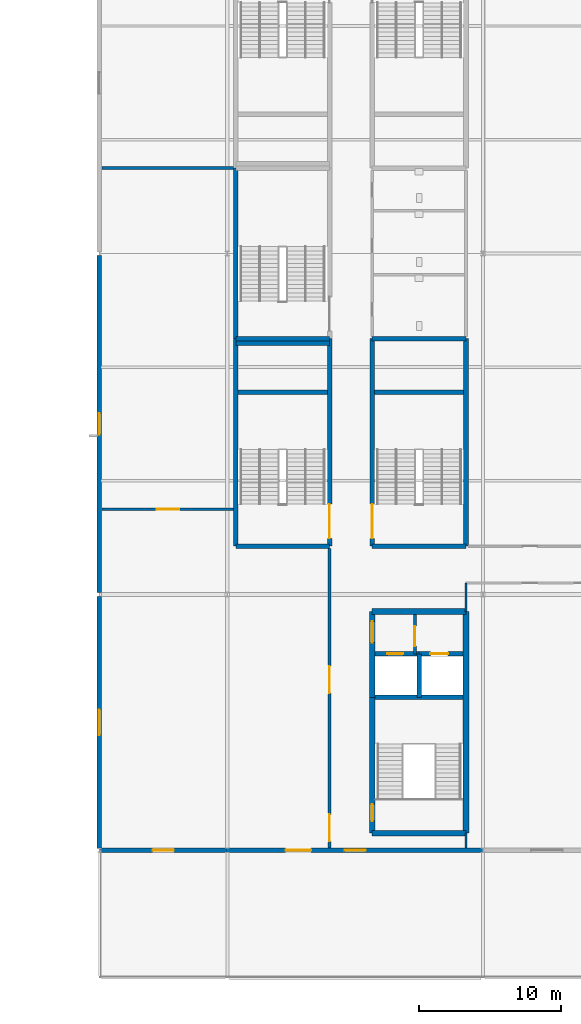
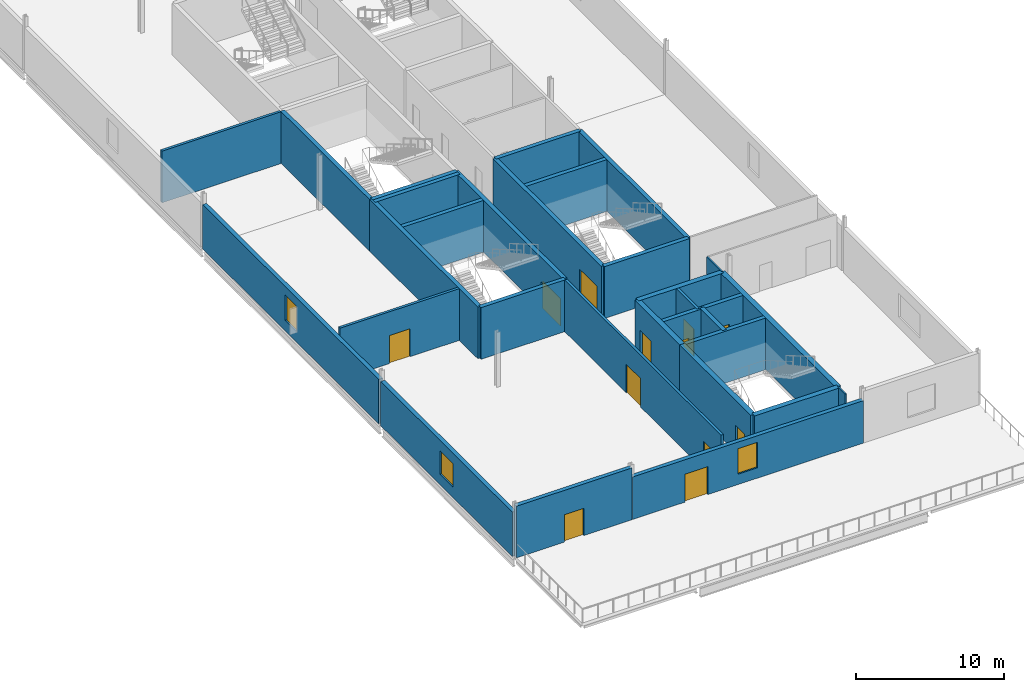
# One storey, part 14 of 28: 31 walls, 12 doors, 3 windows, 15 openings.
"""IFC4 building model written with IfcOpenShell, lengths in metres."""

from ifc_helpers import new_model, si_unit, direction, frame, frame_2d, origin, place, context, subcontext, project, spatial, rectangle, extrude, material, layer, layer_set, type_object, element, fill, save


model = new_model("IFC4")

# Units and contexts
model_context = context("Model", 3, precision=1e-05, world=origin(), true_north=direction((0.0, 1.0)))
body_context = subcontext(model_context, "Body", "Model", "MODEL_VIEW")
ifc_project = project(units=[si_unit("LENGTHUNIT", "METRE"), si_unit("AREAUNIT", "SQUARE_METRE"), si_unit("VOLUMEUNIT", "CUBIC_METRE"), si_unit("PLANEANGLEUNIT", "RADIAN"), si_unit("MASSUNIT", "GRAM", prefix="KILO")], contexts=[model_context])

# Site, building, storey
site_placement = place(None, origin())
site = spatial("IfcSite", under=ifc_project, at=site_placement, CompositionType="ELEMENT")
building_placement = place(site_placement, origin())
building = spatial("IfcBuilding", under=site, at=building_placement, Name="Kisiwana Market Hall", CompositionType="ELEMENT")
storey_placement = place(building_placement, frame((0.0, 0.0, 49.5)))
storey = spatial("IfcBuildingStorey", under=building, at=storey_placement, Name="L11", CompositionType="ELEMENT", Elevation=49.5)

# Wall, opening, door
ifc_material_1 = material(Name="Masonry blockwork", Category="masonry")
ifc_layer_1 = layer(ifc_material_1, 0.199951171875, Name="Plastered fire compartment block wall")
ifc_layer_set_1 = layer_set([ifc_layer_1], Name="WL-COMP-200")
wall_type_1 = type_object("IfcWallType", Name="WL-COMP-200", PredefinedType="PARTITIONING", material=ifc_layer_set_1)
wall_1_placement = place(storey_placement, frame((184.199951171875, 31.820068359375, 0.0), z_axis=(0.0, 0.0, 1.0), x_axis=(0.0, 1.0, 0.0)))
wall_1 = element("IfcWall", 1, at=wall_1_placement, inside=storey, type_object=wall_type_1, Name="Core E2 firefighting lobby wall W-2865", PredefinedType="PARTITIONING", context=body_context, shape_type="SweptSolid", body=[
    extrude(rectangle(XDim=2.780029296875, YDim=0.199951171875, at=frame_2d((1.39013671875, 0.0))), origin(), (0.0, 0.0, 1.0), 4.2548828125),
])
opening_1_placement = place(wall_1_placement, frame((0.550048828125, 0.0, 0.0)))
opening_1 = element("IfcOpeningElement", 2, at=opening_1_placement, cuts=wall_1, Name="Opening DR-L11-009", PredefinedType="OPENING", context=body_context, shape_type="SweptSolid", body=[
    extrude(rectangle(XDim=1.39990234375, YDim=2.25, at=frame_2d((0.699951171875, 1.125))), frame((0.0, 0.11181640625, 0.0), z_axis=(0.0, -1.0, 0.0), x_axis=(1.0, 0.0, 0.0)), (0.0, 0.0, 1.0), 0.223876953125),
])
ifc_material_2 = material(Name="Steel S275", Category="steel")
door_type_1 = type_object("IfcDoorType", Name="DR-FFLOB-FD120-1400", OperationType="DOUBLE_DOOR_SINGLE_SWING", PredefinedType="DOOR", material=ifc_material_2)
door_1_placement = place(opening_1_placement, origin())
door_1 = element("IfcDoor", 3, at=door_1_placement, inside=storey, type_object=door_type_1, Name="Firefighting Lift Lobby E2 Door (L11)", OperationType="DOUBLE_DOOR_SINGLE_SWING", OverallHeight=2.25, OverallWidth=1.39990234375, PredefinedType="DOOR", context=body_context, shape_type="SweptSolid", body=[
    extrude(rectangle(XDim=1.39990234375, YDim=2.25, at=frame_2d((0.699951171875, 1.125))), frame((0.0, 0.02490234375, 0.0), z_axis=(0.0, -1.0, 0.0), x_axis=(1.0, 0.0, 0.0)), (0.0, 0.0, 1.0), 0.050048828125),
])
fill(opening_1, door_1)

wall_2_placement = place(storey_placement, frame((162.169921875, 42.0, 0.0), z_axis=(0.0, 0.0, 1.0), x_axis=(1.0, 0.0, 0.0)))
wall_2 = element("IfcWall", 4, at=wall_2_placement, inside=storey, type_object=wall_type_1, Name="Interior partition W-2895", PredefinedType="PARTITIONING", context=body_context, shape_type="SweptSolid", body=[
    extrude(rectangle(XDim=9.27001953125, YDim=0.199951171875, at=frame_2d((4.635009765625, 0.0))), origin(), (0.0, 0.0, 1.0), 4.2548828125),
])
opening_2_placement = place(wall_2_placement, frame((3.85009765625, 0.0, 0.0)))
opening_2 = element("IfcOpeningElement", 5, at=opening_2_placement, cuts=wall_2, Name="Opening DR-L11-046", PredefinedType="OPENING", context=body_context, shape_type="SweptSolid", body=[
    extrude(rectangle(XDim=1.60009765625, YDim=2.300048828125, at=frame_2d((0.800048828125, 1.14990234375))), frame((0.0, 0.11181640625, 0.0), z_axis=(0.0, -1.0, 0.0), x_axis=(1.0, 0.0, 0.0)), (0.0, 0.0, 1.0), 0.223876953125),
])
ifc_material_3 = material(Name="Steel S275", Category="steel")
door_type_2 = type_object("IfcDoorType", Name="DR-PLANT-FD120-1600", OperationType="DOUBLE_DOOR_SINGLE_SWING", PredefinedType="DOOR", material=ifc_material_3)
door_2_placement = place(opening_2_placement, origin())
door_2 = element("IfcDoor", 6, at=door_2_placement, inside=storey, type_object=door_type_2, Name="L11 E Mid-Height AHU Plant Room Door", OperationType="DOUBLE_DOOR_SINGLE_SWING", OverallHeight=2.300048828125, OverallWidth=1.60009765625, PredefinedType="DOOR", context=body_context, shape_type="SweptSolid", body=[
    extrude(rectangle(XDim=1.60009765625, YDim=2.300048828125, at=frame_2d((0.800048828125, 1.14990234375))), frame((0.0, 0.02490234375, 0.0), z_axis=(0.0, -1.0, 0.0), x_axis=(1.0, 0.0, 0.0)), (0.0, 0.0, 1.0), 0.050048828125),
])
fill(opening_2, door_2)

# Wall
wall_3_placement = place(storey_placement, frame((162.169921875, 66.0, 0.0), z_axis=(0.0, 0.0, 1.0), x_axis=(1.0, 0.0, 0.0)))
element("IfcWall", 7, at=wall_3_placement, inside=storey, type_object=wall_type_1, Name="Interior partition W-2896", PredefinedType="PARTITIONING", context=body_context, shape_type="SweptSolid", body=[
    extrude(rectangle(XDim=9.27001953125, YDim=0.199951171875, at=frame_2d((4.635009765625, 0.0))), origin(), (0.0, 0.0, 1.0), 4.2548828125),
])

# Wall, openings, doors
wall_4_placement = place(storey_placement, frame((178.199951171875, 18.169921875, 0.0), z_axis=(0.0, 0.0, 1.0), x_axis=(0.0, 1.0, 0.0)))
wall_4 = element("IfcWall", 8, at=wall_4_placement, inside=storey, type_object=wall_type_1, Name="Interior partition W-2897", PredefinedType="PARTITIONING", context=body_context, shape_type="SweptSolid", body=[
    extrude(rectangle(XDim=21.070068359375, YDim=0.199951171875, at=frame_2d((10.53515625, 0.0))), origin(), (0.0, 0.0, 1.0), 4.2548828125),
])
opening_3_placement = place(wall_4_placement, frame((10.8798828125, 0.0, 0.0)))
opening_3 = element("IfcOpeningElement", 9, at=opening_3_placement, cuts=wall_4, Name="Opening DR-L11-047", PredefinedType="OPENING", context=body_context, shape_type="SweptSolid", body=[
    extrude(rectangle(XDim=1.89990234375, YDim=2.35009765625, at=frame_2d((0.949951171875, 1.175048828125))), frame((0.0, 0.11181640625, 0.0), z_axis=(0.0, -1.0, 0.0), x_axis=(1.0, 0.0, 0.0)), (0.0, 0.0, 1.0), 0.223876953125),
])
opening_4_placement = place(wall_4_placement, frame((0.449951171875, 0.0, 0.0)))
opening_4 = element("IfcOpeningElement", 10, at=opening_4_placement, cuts=wall_4, Name="Opening DR-L11-048", PredefinedType="OPENING", context=body_context, shape_type="SweptSolid", body=[
    extrude(rectangle(XDim=1.89990234375, YDim=2.35009765625, at=frame_2d((0.949951171875, 1.175048828125))), frame((0.0, 0.11181640625, 0.0), z_axis=(0.0, -1.0, 0.0), x_axis=(1.0, 0.0, 0.0)), (0.0, 0.0, 1.0), 0.223876953125),
])
ifc_material_4 = material(Name="Steel S275", Category="steel")
door_type_3 = type_object("IfcDoorType", Name="DR-HALL-1900", OperationType="DOUBLE_DOOR_SINGLE_SWING", PredefinedType="DOOR", material=ifc_material_4)
door_3_placement = place(opening_3_placement, origin())
door_3 = element("IfcDoor", 11, at=door_3_placement, inside=storey, type_object=door_type_3, Name="L11 E Sky-Garden Seminar Hall Door", OperationType="DOUBLE_DOOR_SINGLE_SWING", OverallHeight=2.35009765625, OverallWidth=1.89990234375, PredefinedType="DOOR", context=body_context, shape_type="SweptSolid", body=[
    extrude(rectangle(XDim=1.89990234375, YDim=2.35009765625, at=frame_2d((0.949951171875, 1.175048828125))), frame((0.0, 0.02490234375, 0.0), z_axis=(0.0, -1.0, 0.0), x_axis=(1.0, 0.0, 0.0)), (0.0, 0.0, 1.0), 0.050048828125),
])
fill(opening_3, door_3)
door_4_placement = place(opening_4_placement, origin())
door_4 = element("IfcDoor", 12, at=door_4_placement, inside=storey, type_object=door_type_3, Name="L11 E Sky-Garden Seminar Hall Exit Door", OperationType="DOUBLE_DOOR_SINGLE_SWING", OverallHeight=2.35009765625, OverallWidth=1.89990234375, PredefinedType="DOOR", context=body_context, shape_type="SweptSolid", body=[
    extrude(rectangle(XDim=1.89990234375, YDim=2.35009765625, at=frame_2d((0.949951171875, 1.175048828125))), frame((0.0, 0.02490234375, 0.0), z_axis=(0.0, -1.0, 0.0), x_axis=(1.0, 0.0, 0.0)), (0.0, 0.0, 1.0), 0.050048828125),
])
fill(opening_4, door_4)

# Walls
ifc_material_5 = material(Name="Concrete C40/50", Category="concrete")
ifc_layer_2 = layer(ifc_material_5, 0.320068359375, Name="Reinforced concrete shaft wall")
ifc_layer_set_2 = layer_set([ifc_layer_2], Name="WL-CORE-320")
wall_type_2 = type_object("IfcWallType", Name="WL-CORE-320", PredefinedType="SHEAR", material=ifc_layer_set_2)
wall_5_placement = place(storey_placement, frame((181.39990234375, 28.760009765625, 0.0), z_axis=(0.0, 0.0, 1.0), x_axis=(1.0, 0.0, 0.0)))
element("IfcWall", 13, at=wall_5_placement, inside=storey, type_object=wall_type_2, Name="Core E2 shaft back shear wall W-2774", PredefinedType="SHEAR", context=body_context, shape_type="SweptSolid", body=[
    extrude(rectangle(XDim=6.2001953125, YDim=0.320068359375, at=frame_2d((3.10009765625, 0.0))), origin(), (0.0, 0.0, 1.0), 4.2548828125),
])
wall_6_placement = place(storey_placement, frame((184.5, 28.760009765625, 0.0), z_axis=(0.0, 0.0, 1.0), x_axis=(0.0, 1.0, 0.0)))
element("IfcWall", 14, at=wall_6_placement, inside=storey, type_object=wall_type_2, Name="Core E2 inter-shaft shear wall W-2775", PredefinedType="SHEAR", context=body_context, shape_type="SweptSolid", body=[
    extrude(rectangle(XDim=3.06005859375, YDim=0.320068359375, at=frame_2d((1.530029296875, 0.0))), origin(), (0.0, 0.0, 1.0), 4.2548828125),
])

# Wall, opening, door
wall_7_placement = place(storey_placement, frame((181.39990234375, 31.820068359375, 0.0), z_axis=(0.0, 0.0, 1.0), x_axis=(1.0, 0.0, 0.0)))
wall_7 = element("IfcWall", 15, at=wall_7_placement, inside=storey, type_object=wall_type_2, Name="Core E2 west lift front wall W-2776", PredefinedType="SHEAR", context=body_context, shape_type="SweptSolid", body=[
    extrude(rectangle(XDim=3.10009765625, YDim=0.320068359375, at=frame_2d((1.550048828125, 0.0))), origin(), (0.0, 0.0, 1.0), 4.2548828125),
])
opening_5_placement = place(wall_7_placement, frame((0.85009765625, 0.0, 0.0)))
opening_5 = element("IfcOpeningElement", 16, at=opening_5_placement, cuts=wall_7, Name="Opening LD-L11-005", PredefinedType="OPENING", context=body_context, shape_type="SweptSolid", body=[
    extrude(rectangle(XDim=1.14990234375, YDim=2.199951171875, at=frame_2d((0.574951171875, 1.10009765625))), frame((0.0, 0.171875, 0.0), z_axis=(0.0, -1.0, 0.0), x_axis=(1.0, 0.0, 0.0)), (0.0, 0.0, 1.0), 0.343994140625),
])
ifc_material_6 = material(Name="Steel S275", Category="steel")
door_type_4 = type_object("IfcDoorType", Name="DR-LIFT-PAX-1150", OperationType="DOUBLE_DOOR_SLIDING", PredefinedType="DOOR", material=ifc_material_6)
door_5_placement = place(opening_5_placement, origin())
door_5 = element("IfcDoor", 17, at=door_5_placement, inside=storey, type_object=door_type_4, Name="Lift Landing Door LP-03 (L11)", OperationType="DOUBLE_DOOR_SLIDING", OverallHeight=2.199951171875, OverallWidth=1.14990234375, PredefinedType="DOOR", context=body_context, shape_type="SweptSolid", body=[
    extrude(rectangle(XDim=1.14990234375, YDim=2.199951171875, at=frame_2d((0.574951171875, 1.10009765625))), frame((0.0, 0.02490234375, 0.0), z_axis=(0.0, -1.0, 0.0), x_axis=(1.0, 0.0, 0.0)), (0.0, 0.0, 1.0), 0.050048828125),
])
fill(opening_5, door_5)

wall_8_placement = place(storey_placement, frame((184.5, 31.820068359375, 0.0), z_axis=(0.0, 0.0, 1.0), x_axis=(1.0, 0.0, 0.0)))
wall_8 = element("IfcWall", 18, at=wall_8_placement, inside=storey, type_object=wall_type_2, Name="Core E2 east lift front wall W-2777", PredefinedType="SHEAR", context=body_context, shape_type="SweptSolid", body=[
    extrude(rectangle(XDim=3.10009765625, YDim=0.320068359375, at=frame_2d((1.550048828125, 0.0))), origin(), (0.0, 0.0, 1.0), 4.2548828125),
])
opening_6_placement = place(wall_8_placement, frame((0.800048828125, 0.0, 0.0)))
opening_6 = element("IfcOpeningElement", 19, at=opening_6_placement, cuts=wall_8, Name="Opening LD-L11-006", PredefinedType="OPENING", context=body_context, shape_type="SweptSolid", body=[
    extrude(rectangle(XDim=1.25, YDim=2.25, at=frame_2d((0.625, 1.125))), frame((0.0, 0.171875, 0.0), z_axis=(0.0, -1.0, 0.0), x_axis=(1.0, 0.0, 0.0)), (0.0, 0.0, 1.0), 0.343994140625),
])
ifc_material_7 = material(Name="Steel S275", Category="steel")
door_type_5 = type_object("IfcDoorType", Name="DR-LIFT-FFL-1250", OperationType="DOUBLE_DOOR_SLIDING", PredefinedType="DOOR", material=ifc_material_7)
door_6_placement = place(opening_6_placement, origin())
door_6 = element("IfcDoor", 20, at=door_6_placement, inside=storey, type_object=door_type_5, Name="Lift Landing Door FFL-03 (L11)", OperationType="DOUBLE_DOOR_SLIDING", OverallHeight=2.25, OverallWidth=1.25, PredefinedType="DOOR", context=body_context, shape_type="SweptSolid", body=[
    extrude(rectangle(XDim=1.25, YDim=2.25, at=frame_2d((0.625, 1.125))), frame((0.0, 0.02490234375, 0.0), z_axis=(0.0, -1.0, 0.0), x_axis=(1.0, 0.0, 0.0)), (0.0, 0.0, 1.0), 0.050048828125),
])
fill(opening_6, door_6)

# Walls
for number, where, z_axis, x_axis, name in (
    (21, (181.199951171875, 39.39990234375, 0.0), (0.0, 0.0, 1.0), (1.0, 0.0, 0.0), "Core E3 south shear wall W-2797"),
    (22, (181.199951171875, 54.0, 0.0), (0.0, 0.0, 1.0), (1.0, 0.0, 0.0), "Core E3 north shear wall W-2798"),
):
    element("IfcWall", number, at=place(storey_placement, frame(where, z_axis=z_axis, x_axis=x_axis)), inside=storey, type_object=wall_type_2, Name=name, PredefinedType="SHEAR", context=body_context, shape_type="SweptSolid", body=[
        extrude(rectangle(XDim=6.60009765625, YDim=0.320068359375, at=frame_2d((3.300048828125, 0.0))), origin(), (0.0, 0.0, 1.0), 4.2548828125),
    ])

# Wall, opening, door
wall_9_placement = place(storey_placement, frame((181.199951171875, 39.39990234375, 0.0), z_axis=(0.0, 0.0, 1.0), x_axis=(0.0, 1.0, 0.0)))
wall_9 = element("IfcWall", 23, at=wall_9_placement, inside=storey, type_object=wall_type_2, Name="Core E3 corridor shear wall W-2799", PredefinedType="SHEAR", context=body_context, shape_type="SweptSolid", body=[
    extrude(rectangle(XDim=14.60009765625, YDim=0.320068359375, at=frame_2d((7.300048828125, 0.0))), origin(), (0.0, 0.0, 1.0), 4.2548828125),
])
opening_7_placement = place(wall_9_placement, frame((0.550048828125, 0.0, 0.0)))
opening_7 = element("IfcOpeningElement", 24, at=opening_7_placement, cuts=wall_9, Name="Opening DR-L11-015", PredefinedType="OPENING", context=body_context, shape_type="SweptSolid", body=[
    extrude(rectangle(XDim=2.39990234375, YDim=2.25, at=frame_2d((1.199951171875, 1.125))), frame((0.0, 0.171875, 0.0), z_axis=(0.0, -1.0, 0.0), x_axis=(1.0, 0.0, 0.0)), (0.0, 0.0, 1.0), 0.343994140625),
])
ifc_material_8 = material(Name="Steel S275", Category="steel")
door_type_6 = type_object("IfcDoorType", Name="DR-STAIR-FD120-2400", OperationType="DOUBLE_DOOR_SINGLE_SWING", PredefinedType="DOOR", material=ifc_material_8)
door_7_placement = place(opening_7_placement, frame((2.39990234375, 0.0, 0.0), z_axis=(0.0, 0.0, 1.0), x_axis=(-1.0, 0.0, 0.0)))
door_7 = element("IfcDoor", 25, at=door_7_placement, inside=storey, type_object=door_type_6, Name="Escape Stair E3 Fire Door (L11)", OperationType="DOUBLE_DOOR_SINGLE_SWING", OverallHeight=2.25, OverallWidth=2.39990234375, PredefinedType="DOOR", context=body_context, shape_type="SweptSolid", body=[
    extrude(rectangle(XDim=2.39990234375, YDim=2.25, at=frame_2d((1.199951171875, 1.125))), frame((0.0, 0.02490234375, 0.0), z_axis=(0.0, -1.0, 0.0), x_axis=(1.0, 0.0, 0.0)), (0.0, 0.0, 1.0), 0.050048828125),
])
fill(opening_7, door_7)

# Walls
wall_10_placement = place(storey_placement, frame((187.800048828125, 39.39990234375, 0.0), z_axis=(0.0, 0.0, 1.0), x_axis=(0.0, 1.0, 0.0)))
element("IfcWall", 26, at=wall_10_placement, inside=storey, type_object=wall_type_2, Name="Core E3 outer shear wall W-2800", PredefinedType="SHEAR", context=body_context, shape_type="SweptSolid", body=[
    extrude(rectangle(XDim=14.60009765625, YDim=0.320068359375, at=frame_2d((7.300048828125, 0.0))), origin(), (0.0, 0.0, 1.0), 4.2548828125),
])
wall_11_placement = place(storey_placement, frame((181.360107421875, 50.219970703125, 0.0), z_axis=(0.0, 0.0, 1.0), x_axis=(1.0, 0.0, 0.0)))
element("IfcWall", 27, at=wall_11_placement, inside=storey, type_object=wall_type_2, Name="Core E3 riser divider shear wall W-2801", PredefinedType="SHEAR", context=body_context, shape_type="SweptSolid", body=[
    extrude(rectangle(XDim=6.27978515625, YDim=0.320068359375, at=frame_2d((3.139892578125, 0.0))), origin(), (0.0, 0.0, 1.0), 4.2548828125),
])
for number, where, z_axis, x_axis, name in (
    (28, (171.60009765625, 39.39990234375, 0.0), (0.0, 0.0, 1.0), (1.0, 0.0, 0.0), "Core E7 south shear wall W-2812"),
    (29, (171.60009765625, 54.0, 0.0), (0.0, 0.0, 1.0), (1.0, 0.0, 0.0), "Core E7 north shear wall W-2813"),
):
    element("IfcWall", number, at=place(storey_placement, frame(where, z_axis=z_axis, x_axis=x_axis)), inside=storey, type_object=wall_type_2, Name=name, PredefinedType="SHEAR", context=body_context, shape_type="SweptSolid", body=[
        extrude(rectangle(XDim=6.599853515625, YDim=0.320068359375, at=frame_2d((3.2998046875, 0.0))), origin(), (0.0, 0.0, 1.0), 4.2548828125),
    ])
wall_12_placement = place(storey_placement, frame((171.60009765625, 39.39990234375, 0.0), z_axis=(0.0, 0.0, 1.0), x_axis=(0.0, 1.0, 0.0)))
element("IfcWall", 30, at=wall_12_placement, inside=storey, type_object=wall_type_2, Name="Core E7 outer shear wall W-2814", PredefinedType="SHEAR", context=body_context, shape_type="SweptSolid", body=[
    extrude(rectangle(XDim=14.60009765625, YDim=0.320068359375, at=frame_2d((7.300048828125, 0.0))), origin(), (0.0, 0.0, 1.0), 4.2548828125),
])

# Wall, opening, door
wall_13_placement = place(storey_placement, frame((178.199951171875, 39.39990234375, 0.0), z_axis=(0.0, 0.0, 1.0), x_axis=(0.0, 1.0, 0.0)))
wall_13 = element("IfcWall", 31, at=wall_13_placement, inside=storey, type_object=wall_type_2, Name="Core E7 corridor shear wall W-2815", PredefinedType="SHEAR", context=body_context, shape_type="SweptSolid", body=[
    extrude(rectangle(XDim=14.60009765625, YDim=0.320068359375, at=frame_2d((7.300048828125, 0.0))), origin(), (0.0, 0.0, 1.0), 4.2548828125),
])
opening_8_placement = place(wall_13_placement, frame((0.550048828125, 0.0, 0.0)))
opening_8 = element("IfcOpeningElement", 32, at=opening_8_placement, cuts=wall_13, Name="Opening DR-L11-018", PredefinedType="OPENING", context=body_context, shape_type="SweptSolid", body=[
    extrude(rectangle(XDim=2.39990234375, YDim=2.25, at=frame_2d((1.199951171875, 1.125))), frame((0.0, 0.171875, 0.0), z_axis=(0.0, -1.0, 0.0), x_axis=(1.0, 0.0, 0.0)), (0.0, 0.0, 1.0), 0.343994140625),
])
door_8_placement = place(opening_8_placement, origin())
door_8 = element("IfcDoor", 33, at=door_8_placement, inside=storey, type_object=door_type_6, Name="Escape Stair E7 Fire Door (L11)", OperationType="DOUBLE_DOOR_SINGLE_SWING", OverallHeight=2.25, OverallWidth=2.39990234375, PredefinedType="DOOR", context=body_context, shape_type="SweptSolid", body=[
    extrude(rectangle(XDim=2.39990234375, YDim=2.25, at=frame_2d((1.199951171875, 1.125))), frame((0.0, 0.02490234375, 0.0), z_axis=(0.0, -1.0, 0.0), x_axis=(1.0, 0.0, 0.0)), (0.0, 0.0, 1.0), 0.050048828125),
])
fill(opening_8, door_8)

# Walls
wall_14_placement = place(storey_placement, frame((171.760009765625, 50.219970703125, 0.0), z_axis=(0.0, 0.0, 1.0), x_axis=(1.0, 0.0, 0.0)))
element("IfcWall", 34, at=wall_14_placement, inside=storey, type_object=wall_type_2, Name="Core E7 riser divider shear wall W-2816", PredefinedType="SHEAR", context=body_context, shape_type="SweptSolid", body=[
    extrude(rectangle(XDim=6.280029296875, YDim=0.320068359375, at=frame_2d((3.14013671875, 0.0))), origin(), (0.0, 0.0, 1.0), 4.2548828125),
])
wall_15_placement = place(storey_placement, frame((171.60009765625, 53.679931640625, 0.0), z_axis=(0.0, 0.0, 1.0), x_axis=(1.0, 0.0, 0.0)))
element("IfcWall", 35, at=wall_15_placement, inside=storey, type_object=wall_type_2, Name="Core E5 south shear wall W-2831", PredefinedType="SHEAR", context=body_context, shape_type="SweptSolid", body=[
    extrude(rectangle(XDim=6.599853515625, YDim=0.320068359375, at=frame_2d((3.2998046875, 0.0))), origin(), (0.0, 0.0, 1.0), 4.2548828125),
])
wall_16_placement = place(storey_placement, frame((171.60009765625, 54.0, 0.0), z_axis=(0.0, 0.0, 1.0), x_axis=(0.0, 1.0, 0.0)))
element("IfcWall", 36, at=wall_16_placement, inside=storey, type_object=wall_type_2, Name="Core E5 outer shear wall W-2833", PredefinedType="SHEAR", context=body_context, shape_type="SweptSolid", body=[
    extrude(rectangle(XDim=12.0, YDim=0.320068359375, at=frame_2d((6.0, 0.0))), origin(), (0.0, 0.0, 1.0), 4.2548828125),
])
ifc_material_9 = material(Name="Concrete C40/50", Category="concrete")
ifc_layer_3 = layer(ifc_material_9, 0.39990234375, Name="Reinforced concrete core wall")
ifc_layer_set_3 = layer_set([ifc_layer_3], Name="WL-CORE-400")
wall_type_3 = type_object("IfcWallType", Name="WL-CORE-400", PredefinedType="SHEAR", material=ifc_layer_set_3)
for number, where, z_axis, x_axis, name in (
    (37, (181.199951171875, 19.199951171875, 0.0), (0.0, 0.0, 1.0), (1.0, 0.0, 0.0), "Core E2 south shear wall W-2769"),
    (38, (181.199951171875, 34.800048828125, 0.0), (0.0, 0.0, 1.0), (1.0, 0.0, 0.0), "Core E2 north shear wall W-2770"),
):
    element("IfcWall", number, at=place(storey_placement, frame(where, z_axis=z_axis, x_axis=x_axis)), inside=storey, type_object=wall_type_3, Name=name, PredefinedType="SHEAR", context=body_context, shape_type="SweptSolid", body=[
        extrude(rectangle(XDim=6.60009765625, YDim=0.39990234375, at=frame_2d((3.300048828125, 0.0))), origin(), (0.0, 0.0, 1.0), 4.2548828125),
    ])
wall_17_placement = place(storey_placement, frame((187.800048828125, 19.199951171875, 0.0), z_axis=(0.0, 0.0, 1.0), x_axis=(0.0, 1.0, 0.0)))
element("IfcWall", 39, at=wall_17_placement, inside=storey, type_object=wall_type_3, Name="Core E2 outer shear wall W-2771", PredefinedType="SHEAR", context=body_context, shape_type="SweptSolid", body=[
    extrude(rectangle(XDim=15.60009765625, YDim=0.39990234375, at=frame_2d((7.800048828125, 0.0))), origin(), (0.0, 0.0, 1.0), 4.2548828125),
])

# Wall, opening, door
wall_18_placement = place(storey_placement, frame((181.199951171875, 19.199951171875, 0.0), z_axis=(0.0, 0.0, 1.0), x_axis=(0.0, 1.0, 0.0)))
wall_18 = element("IfcWall", 40, at=wall_18_placement, inside=storey, type_object=wall_type_3, Name="Core E2 stair corridor shear wall W-2772", PredefinedType="SHEAR", context=body_context, shape_type="SweptSolid", body=[
    extrude(rectangle(XDim=9.56005859375, YDim=0.39990234375, at=frame_2d((4.780029296875, 0.0))), origin(), (0.0, 0.0, 1.0), 4.2548828125),
])
opening_9_placement = place(wall_18_placement, frame((0.85009765625, 0.0, 0.0)))
opening_9 = element("IfcOpeningElement", 41, at=opening_9_placement, cuts=wall_18, Name="Opening DR-L11-007", PredefinedType="OPENING", context=body_context, shape_type="SweptSolid", body=[
    extrude(rectangle(XDim=1.199951171875, YDim=2.199951171875, at=frame_2d((0.60009765625, 1.10009765625))), frame((0.0, 0.2119140625, 0.0), z_axis=(0.0, -1.0, 0.0), x_axis=(1.0, 0.0, 0.0)), (0.0, 0.0, 1.0), 0.423828125),
])
ifc_material_10 = material(Name="Steel S275", Category="steel")
door_type_7 = type_object("IfcDoorType", Name="DR-STAIR-FD120-1200", OperationType="NOTDEFINED", PredefinedType="DOOR", material=ifc_material_10)
door_9_placement = place(opening_9_placement, frame((1.199951171875, 0.0, 0.0), z_axis=(0.0, 0.0, 1.0), x_axis=(-1.0, 0.0, 0.0)))
door_9 = element("IfcDoor", 42, at=door_9_placement, inside=storey, type_object=door_type_7, Name="Escape Stair E2 Fire Door (L11)", OperationType="SINGLE_SWING_RIGHT", OverallHeight=2.199951171875, OverallWidth=1.199951171875, PredefinedType="DOOR", context=body_context, shape_type="SweptSolid", body=[
    extrude(rectangle(XDim=1.199951171875, YDim=2.199951171875, at=frame_2d((0.60009765625, 1.10009765625))), frame((0.0, 0.02490234375, 0.0), z_axis=(0.0, -1.0, 0.0), x_axis=(1.0, 0.0, 0.0)), (0.0, 0.0, 1.0), 0.050048828125),
])
fill(opening_9, door_9)

wall_19_placement = place(storey_placement, frame((181.199951171875, 28.760009765625, 0.0), z_axis=(0.0, 0.0, 1.0), x_axis=(0.0, 1.0, 0.0)))
wall_19 = element("IfcWall", 43, at=wall_19_placement, inside=storey, type_object=wall_type_3, Name="Core E2 lobby corridor shear wall W-2773", PredefinedType="SHEAR", context=body_context, shape_type="SweptSolid", body=[
    extrude(rectangle(XDim=6.0400390625, YDim=0.39990234375, at=frame_2d((3.02001953125, 0.0))), origin(), (0.0, 0.0, 1.0), 4.2548828125),
])
opening_10_placement = place(wall_19_placement, frame((3.85009765625, 0.0, 0.0)))
opening_10 = element("IfcOpeningElement", 44, at=opening_10_placement, cuts=wall_19, Name="Opening DR-L11-008", PredefinedType="OPENING", context=body_context, shape_type="SweptSolid", body=[
    extrude(rectangle(XDim=1.5, YDim=2.199951171875, at=frame_2d((0.75, 1.10009765625))), frame((0.0, 0.2119140625, 0.0), z_axis=(0.0, -1.0, 0.0), x_axis=(1.0, 0.0, 0.0)), (0.0, 0.0, 1.0), 0.423828125),
])
ifc_material_11 = material(Name="Steel S275", Category="steel")
door_type_8 = type_object("IfcDoorType", Name="DR-CORR-FD60-1500", OperationType="DOUBLE_DOOR_SINGLE_SWING", PredefinedType="DOOR", material=ifc_material_11)
door_10_placement = place(opening_10_placement, origin())
door_10 = element("IfcDoor", 45, at=door_10_placement, inside=storey, type_object=door_type_8, Name="Passenger Lift Lobby E2 Smoke Door (L11)", OperationType="DOUBLE_DOOR_SINGLE_SWING", OverallHeight=2.199951171875, OverallWidth=1.5, PredefinedType="DOOR", context=body_context, shape_type="SweptSolid", body=[
    extrude(rectangle(XDim=1.5, YDim=2.199951171875, at=frame_2d((0.75, 1.10009765625))), frame((0.0, 0.02490234375, 0.0), z_axis=(0.0, -1.0, 0.0), x_axis=(1.0, 0.0, 0.0)), (0.0, 0.0, 1.0), 0.050048828125),
])
fill(opening_10, door_10)

ifc_material_12 = material(Name="Concrete C40/50 precast", Category="concrete")
ifc_layer_4 = layer(ifc_material_12, 0.31494140625)
ifc_layer_set_4 = layer_set([ifc_layer_4], Name="WL-EXT-315")
wall_type_4 = type_object("IfcWallType", Name="WL-EXT-315", PredefinedType="STANDARD", material=ifc_layer_set_4)
wall_20_placement = place(storey_placement, frame((162.010009765625, 18.0, 0.0), z_axis=(0.0, 0.0, 1.0), x_axis=(1.0, 0.0, 0.0)))
wall_20 = element("IfcWall", 46, at=wall_20_placement, inside=storey, type_object=wall_type_4, Name="Exterior wall W-2838", PredefinedType="STANDARD", context=body_context, shape_type="SweptSolid", body=[
    extrude(rectangle(XDim=8.97998046875, YDim=0.31494140625, at=frame_2d((4.489990234375, 0.0))), origin(), (0.0, 0.0, 1.0), 4.2548828125),
])
opening_11_placement = place(wall_20_placement, frame((3.739990234375, 0.0, 0.0)))
opening_11 = element("IfcOpeningElement", 47, at=opening_11_placement, cuts=wall_20, Name="Opening DR-L11-994", PredefinedType="OPENING", context=body_context, shape_type="SweptSolid", body=[
    extrude(rectangle(XDim=1.5, YDim=2.25, at=frame_2d((0.75, 1.125))), frame((0.0, 0.16943359375, 0.0), z_axis=(0.0, -1.0, 0.0), x_axis=(1.0, 0.0, 0.0)), (0.0, 0.0, 1.0), 0.3388671875),
])
ifc_material_13 = material(Name="Aluminium alloy 6063-T6", Category="aluminium")
door_type_9 = type_object("IfcDoorType", Name="DR-EXT-TERR-1500", OperationType="DOUBLE_DOOR_SINGLE_SWING", PredefinedType="DOOR", material=ifc_material_13)
door_11_placement = place(opening_11_placement, origin())
door_11 = element("IfcDoor", 48, at=door_11_placement, inside=storey, type_object=door_type_9, Name="Exterior terrace access door DR-L11-994", OperationType="DOUBLE_DOOR_SINGLE_SWING", OverallHeight=2.25, OverallWidth=1.5, PredefinedType="DOOR", context=body_context, shape_type="SweptSolid", body=[
    extrude(rectangle(XDim=1.5, YDim=2.25, at=frame_2d((0.75, 1.125))), frame((0.0, 0.02490234375, 0.0), z_axis=(0.0, -1.0, 0.0), x_axis=(1.0, 0.0, 0.0)), (0.0, 0.0, 1.0), 0.050048828125),
])
fill(opening_11, door_11)

# Wall, openings, door, window
wall_21_placement = place(storey_placement, frame((171.010009765625, 18.0, 0.0), z_axis=(0.0, 0.0, 1.0), x_axis=(1.0, 0.0, 0.0)))
wall_21 = element("IfcWall", 49, at=wall_21_placement, inside=storey, type_object=wall_type_4, Name="Exterior wall W-2839", PredefinedType="STANDARD", context=body_context, shape_type="SweptSolid", body=[
    extrude(rectangle(XDim=17.97998046875, YDim=0.31494140625, at=frame_2d((8.989990234375, 0.0))), origin(), (0.0, 0.0, 1.0), 3.492919921875),
])
opening_12_placement = place(wall_21_placement, frame((8.239990234375, 0.0, 0.85009765625)))
opening_12 = element("IfcOpeningElement", 50, at=opening_12_placement, cuts=wall_21, Name="Opening WN-04", PredefinedType="OPENING", context=body_context, shape_type="SweptSolid", body=[
    extrude(rectangle(XDim=1.5, YDim=2.10009765625, at=frame_2d((0.75, 1.050048828125))), frame((0.0, 0.16943359375, 0.0), z_axis=(0.0, -1.0, 0.0), x_axis=(1.0, 0.0, 0.0)), (0.0, 0.0, 1.0), 0.3388671875),
])
opening_13_placement = place(wall_21_placement, frame((4.090087890625, 0.0, 0.0)))
opening_13 = element("IfcOpeningElement", 51, at=opening_13_placement, cuts=wall_21, Name="Opening DR-L11-999", PredefinedType="OPENING", context=body_context, shape_type="SweptSolid", body=[
    extrude(rectangle(XDim=1.800048828125, YDim=2.300048828125, at=frame_2d((0.89990234375, 1.14990234375))), frame((0.0, 0.16943359375, 0.0), z_axis=(0.0, -1.0, 0.0), x_axis=(1.0, 0.0, 0.0)), (0.0, 0.0, 1.0), 0.3388671875),
])
ifc_material_14 = material(Name="Aluminium alloy 6063-T6", Category="aluminium")
door_type_10 = type_object("IfcDoorType", Name="DR-EXT-TERR-1800", OperationType="DOUBLE_DOOR_SINGLE_SWING", PredefinedType="DOOR", material=ifc_material_14)
door_12_placement = place(opening_13_placement, origin())
door_12 = element("IfcDoor", 52, at=door_12_placement, inside=storey, type_object=door_type_10, Name="Exterior terrace access door DR-L11-999", OperationType="DOUBLE_DOOR_SINGLE_SWING", OverallHeight=2.300048828125, OverallWidth=1.800048828125, PredefinedType="DOOR", context=body_context, shape_type="SweptSolid", body=[
    extrude(rectangle(XDim=1.800048828125, YDim=2.300048828125, at=frame_2d((0.89990234375, 1.14990234375))), frame((0.0, 0.02490234375, 0.0), z_axis=(0.0, -1.0, 0.0), x_axis=(1.0, 0.0, 0.0)), (0.0, 0.0, 1.0), 0.050048828125),
])
fill(opening_13, door_12)
ifc_material_15 = material(Name="Double-glazed solar-control low-E IGU", Category="glass")
window_type_1 = type_object("IfcWindowType", Name="WN-DRUM-1500x2100", PartitioningType="SINGLE_PANEL", PredefinedType="WINDOW", material=ifc_material_15)
window_1_placement = place(opening_12_placement, origin())
window_1 = element("IfcWindow", 53, at=window_1_placement, inside=storey, type_object=window_type_1, Name="Exterior window WN-334", OverallHeight=2.10009765625, OverallWidth=1.5, PartitioningType="SINGLE_PANEL", PredefinedType="WINDOW", context=body_context, shape_type="SweptSolid", body=[
    extrude(rectangle(XDim=1.5, YDim=2.10009765625, at=frame_2d((0.75, 1.050048828125))), frame((0.0, 0.030029296875, 0.0), z_axis=(0.0, -1.0, 0.0), x_axis=(1.0, 0.0, 0.0)), (0.0, 0.0, 1.0), 0.06005859375),
])
fill(opening_12, window_1)

# Wall, opening, window
wall_22_placement = place(storey_placement, frame((162.0, 18.133056640625, 0.0), z_axis=(0.0, 0.0, 1.0), x_axis=(0.0, 1.0, 0.0)))
wall_22 = element("IfcWall", 54, at=wall_22_placement, inside=storey, type_object=wall_type_4, Name="Exterior wall W-2855", PredefinedType="STANDARD", context=body_context, shape_type="SweptSolid", body=[
    extrude(rectangle(XDim=17.73388671875, YDim=0.31494140625, at=frame_2d((8.866943359375, 0.0))), origin(), (0.0, 0.0, 1.0), 3.642822265625),
])
opening_14_placement = place(wall_22_placement, frame((7.966796875, 0.0, 0.85009765625)))
opening_14 = element("IfcOpeningElement", 55, at=opening_14_placement, cuts=wall_22, Name="Opening W-29", PredefinedType="OPENING", context=body_context, shape_type="SweptSolid", body=[
    extrude(rectangle(XDim=1.800048828125, YDim=1.949951171875, at=frame_2d((0.89990234375, 0.97509765625))), frame((0.0, 0.16943359375, 0.0), z_axis=(0.0, -1.0, 0.0), x_axis=(1.0, 0.0, 0.0)), (0.0, 0.0, 1.0), 0.3388671875),
])
ifc_material_16 = material(Name="Double-glazed solar-control low-E IGU", Category="glass")
window_type_2 = type_object("IfcWindowType", Name="WN-TWRA-1800x1950", PartitioningType="SINGLE_PANEL", PredefinedType="WINDOW", material=ifc_material_16)
window_2_placement = place(opening_14_placement, origin())
window_2 = element("IfcWindow", 56, at=window_2_placement, inside=storey, type_object=window_type_2, Name="Exterior window WN-330", OverallHeight=1.949951171875, OverallWidth=1.800048828125, PartitioningType="SINGLE_PANEL", PredefinedType="WINDOW", context=body_context, shape_type="SweptSolid", body=[
    extrude(rectangle(XDim=1.800048828125, YDim=1.949951171875, at=frame_2d((0.89990234375, 0.97509765625))), frame((0.0, 0.030029296875, 0.0), z_axis=(0.0, -1.0, 0.0), x_axis=(1.0, 0.0, 0.0)), (0.0, 0.0, 1.0), 0.06005859375),
])
fill(opening_14, window_2)

wall_23_placement = place(storey_placement, frame((162.0, 36.133056640625, 0.0), z_axis=(0.0, 0.0, 1.0), x_axis=(0.0, 1.0, 0.0)))
wall_23 = element("IfcWall", 57, at=wall_23_placement, inside=storey, type_object=wall_type_4, Name="Exterior wall W-2856", PredefinedType="STANDARD", context=body_context, shape_type="SweptSolid", body=[
    extrude(rectangle(XDim=23.73388671875, YDim=0.31494140625, at=frame_2d((11.866943359375, 0.0))), origin(), (0.0, 0.0, 1.0), 3.642822265625),
])
opening_15_placement = place(wall_23_placement, frame((11.116943359375, 0.0, 0.85009765625)))
opening_15 = element("IfcOpeningElement", 58, at=opening_15_placement, cuts=wall_23, Name="Opening WN-04", PredefinedType="OPENING", context=body_context, shape_type="SweptSolid", body=[
    extrude(rectangle(XDim=1.5, YDim=2.10009765625, at=frame_2d((0.75, 1.050048828125))), frame((0.0, 0.16943359375, 0.0), z_axis=(0.0, -1.0, 0.0), x_axis=(1.0, 0.0, 0.0)), (0.0, 0.0, 1.0), 0.3388671875),
])
window_3_placement = place(opening_15_placement, origin())
window_3 = element("IfcWindow", 59, at=window_3_placement, inside=storey, type_object=window_type_1, Name="Exterior window WN-341", OverallHeight=2.10009765625, OverallWidth=1.5, PartitioningType="SINGLE_PANEL", PredefinedType="WINDOW", context=body_context, shape_type="SweptSolid", body=[
    extrude(rectangle(XDim=1.5, YDim=2.10009765625, at=frame_2d((0.75, 1.050048828125))), frame((0.0, 0.030029296875, 0.0), z_axis=(0.0, -1.0, 0.0), x_axis=(1.0, 0.0, 0.0)), (0.0, 0.0, 1.0), 0.06005859375),
])
fill(opening_15, window_3)

# Walls
ifc_material_17 = material(Name="Gypsum plasterboard")
ifc_layer_5 = layer(ifc_material_17, 0.125, Name="Double gypsum board + acoustic stud")
ifc_layer_set_5 = layer_set([ifc_layer_5], Name="WL-OFF-125")
wall_type_5 = type_object("IfcWallType", Name="WL-OFF-125", PredefinedType="PARTITIONING", material=ifc_layer_set_5)
wall_24_placement = place(storey_placement, frame((187.800048828125, 34.800048828125, 0.0), z_axis=(0.0, 0.0, 1.0), x_axis=(0.0, 1.0, 0.0)))
element("IfcWall", 60, at=wall_24_placement, inside=storey, type_object=wall_type_5, Name="Interior partition W-2887", PredefinedType="PARTITIONING", context=body_context, shape_type="SweptSolid", body=[
    extrude(rectangle(XDim=2.0, YDim=0.125, at=frame_2d((1.0, 0.0))), origin(), (0.0, 0.0, 1.0), 4.2548828125),
])
wall_25_placement = place(storey_placement, frame((187.800048828125, 18.169921875, 0.0), z_axis=(0.0, 0.0, 1.0), x_axis=(0.0, 1.0, 0.0)))
element("IfcWall", 61, at=wall_25_placement, inside=storey, type_object=wall_type_5, Name="Interior partition W-2889", PredefinedType="PARTITIONING", context=body_context, shape_type="SweptSolid", body=[
    extrude(rectangle(XDim=1.030029296875, YDim=0.125, at=frame_2d((0.51513671875, 0.0))), origin(), (0.0, 0.0, 1.0), 4.2548828125),
])

save(model, "model.ifc")
